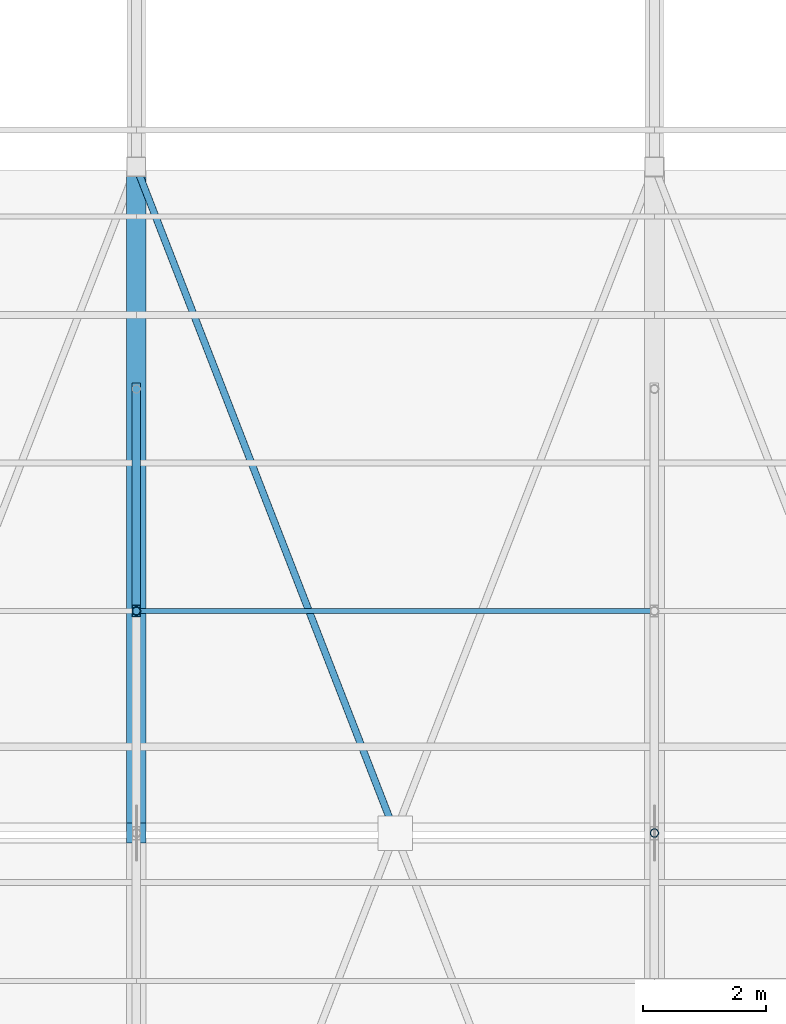
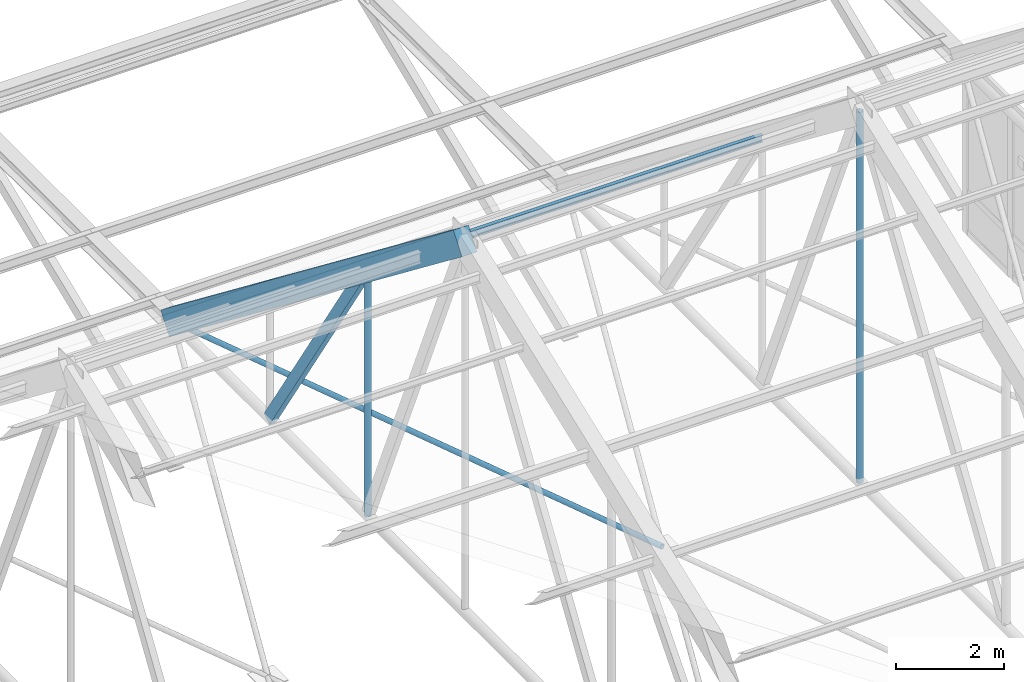
# One storey, part 127 of 217: 6 members.
"""IFC4 building model written with IfcOpenShell, lengths in metres."""

from ifc_helpers import new_model, si_unit, direction, frame, origin, origin_2d, place, context, subcontext, project, spatial, rectangle, hollow_rectangle, hollow_circle, i_section, extrude, material, material_profile, profile_set, type_object, element, save


model = new_model("IFC4")

# Units and contexts
model_context = context("Model", 3, precision=1e-05, world=origin(), true_north=direction((0.0, 1.0)))
body_context = subcontext(model_context, "Body", "Model", "MODEL_VIEW")
ifc_project = project(units=[si_unit("LENGTHUNIT", "METRE"), si_unit("AREAUNIT", "SQUARE_METRE"), si_unit("VOLUMEUNIT", "CUBIC_METRE"), si_unit("PLANEANGLEUNIT", "RADIAN"), si_unit("MASSUNIT", "GRAM", prefix="KILO")], contexts=[model_context])

# Site, building, storey
site_placement = place(None, origin())
site = spatial("IfcSite", under=ifc_project, at=site_placement, CompositionType="ELEMENT")
building_placement = place(site_placement, origin())
building = spatial("IfcBuilding", under=site, at=building_placement, Name="Mazaris Harbour Polytechnic", CompositionType="ELEMENT")
storey_placement = place(building_placement, frame((0.0, 0.0, 9.60009765625)))
storey = spatial("IfcBuildingStorey", under=building, at=storey_placement, Name="L02", CompositionType="ELEMENT", Elevation=9.60009765625)

# Members
ifc_material_1 = material(Name="Glulam GL32h", Category="wood")
ifc_material_profile_1 = material_profile(ifc_material_1, rectangle(XDim=0.320068359375, YDim=0.52001953125, at=origin_2d()), Name="RECT320x520")
ifc_profile_set_1 = profile_set([ifc_material_profile_1], Name="Glulam GL32h")
member_type_1 = type_object("IfcMemberType", Name="Glulam Top Chord 320x520", PredefinedType="CHORD", material=ifc_profile_set_1)
member_1_placement = place(storey_placement, frame((96.0, 97.199951171875, 12.099853515625), z_axis=(0.0, 0.791130406401, -0.611647512926), x_axis=(-1.0, 0.0, 0.0)))
element("IfcMember", 1, at=member_1_placement, inside=storey, type_object=member_type_1, Name="Truss 6 North Glulam Top Chord", PredefinedType="CHORD", context=body_context, shape_type="SweptSolid", body=[
    extrude(rectangle(XDim=0.320068359375, YDim=0.52001953125, at=origin_2d()), origin(), (0.0, 0.0, 1.0), 13.6513671875),
])
ifc_material_2 = material(Name="Steel S355", Category="steel")
ifc_material_profile_2 = material_profile(ifc_material_2, i_section(OverallWidth=0.08203125, OverallDepth=0.159912109375, WebThickness=0.0048828125, FlangeThickness=0.00732421875, FilletRadius=0.009033203125, at=origin_2d()), Name="IPE 160")
ifc_profile_set_2 = profile_set([ifc_material_profile_2], Name="Steel S355")
member_type_2 = type_object("IfcMemberType", Name="Steel Purlin IPE160", PredefinedType="PURLIN", material=ifc_profile_set_2)
member_2_placement = place(storey_placement, frame((96.0, 100.800048828125, 9.308837890625), z_axis=(1.0, 0.0, 0.0), x_axis=(0.0, 1.0, 0.0)))
element("IfcMember", 2, at=member_2_placement, inside=storey, type_object=member_type_2, Name="V1 Roof Purlin N-120", PredefinedType="PURLIN", context=body_context, shape_type="SweptSolid", body=[
    extrude(i_section(OverallWidth=0.08203125, OverallDepth=0.159912109375, WebThickness=0.0048828125, FlangeThickness=0.00732421875, FilletRadius=0.009033203125, at=origin_2d()), origin(), (0.0, 0.0, 1.0), 8.39990234375),
])
ifc_material_3 = material(Name="Steel S355", Category="steel")
ifc_material_profile_3 = material_profile(ifc_material_3, hollow_rectangle(XDim=0.139892578125, YDim=0.239990234375, WallThickness=0.010009765625, at=origin_2d()), Name="RHS 140x240x10.0")
ifc_profile_set_3 = profile_set([ifc_material_profile_3], Name="Steel S355")
member_type_3 = type_object("IfcMemberType", Name="Steel Truss Diagonal RHS140x240", PredefinedType="BRACE", material=ifc_profile_set_3)
member_3_placement = place(storey_placement, frame((96.0, 104.39990234375, 3.75), z_axis=(0.0, -0.543028315091, 0.839714385377), x_axis=(1.0, 0.0, 0.0)))
element("IfcMember", 3, at=member_3_placement, inside=storey, type_object=member_type_3, Name="Truss 6 Web Diagonal N2", PredefinedType="BRACE", context=body_context, shape_type="SweptSolid", body=[
    extrude(hollow_rectangle(XDim=0.139892578125, YDim=0.239990234375, WallThickness=0.010009765625, at=origin_2d()), origin(), (0.0, 0.0, 1.0), 6.629150390625),
])
ifc_material_4 = material(Name="Steel S355", Category="steel")
ifc_material_profile_4 = material_profile(ifc_material_4, hollow_circle(Radius=0.06982421875, WallThickness=0.008056640625, at=origin_2d()), Name="CHS 139.7x8.0")
ifc_profile_set_4 = profile_set([ifc_material_profile_4], Name="Steel S355")
member_type_4 = type_object("IfcMemberType", Name="Steel Truss Strut CHS139", PredefinedType="STRUT", material=ifc_profile_set_4)
member_4_placement = place(storey_placement, frame((96.0, 100.800048828125, 3.75), z_axis=(0.0, 0.0, 1.0), x_axis=(1.0, 0.0, 0.0)))
element("IfcMember", 4, at=member_4_placement, inside=storey, type_object=member_type_4, Name="Truss 6 Web Post N1", PredefinedType="STRUT", context=body_context, shape_type="SweptSolid", body=[
    extrude(hollow_circle(Radius=0.06982421875, WallThickness=0.008056640625, at=origin_2d()), origin(), (0.0, 0.0, 1.0), 5.566650390625),
])
member_5_placement = place(storey_placement, frame((104.39990234375, 97.199951171875, 3.75), z_axis=(0.0, 0.0, 1.0), x_axis=(1.0, 0.0, 0.0)))
element("IfcMember", 5, at=member_5_placement, inside=storey, type_object=member_type_4, Name="Truss 7 Web Post S4", PredefinedType="STRUT", context=body_context, shape_type="SweptSolid", body=[
    extrude(hollow_circle(Radius=0.06982421875, WallThickness=0.008056640625, at=origin_2d()), origin(), (0.0, 0.0, 1.0), 8.349853515625),
])
ifc_material_5 = material(Name="Steel S355", Category="steel")
ifc_material_profile_5 = material_profile(ifc_material_5, hollow_circle(Radius=0.05712890625, WallThickness=0.00634765625, at=origin_2d()), Name="CHS 114.3x6.3")
ifc_profile_set_5 = profile_set([ifc_material_profile_5], Name="Steel S355")
member_type_5 = type_object("IfcMemberType", Name="Steel Wind Brace CHS114", PredefinedType="BRACE", material=ifc_profile_set_5)
member_6_placement = place(storey_placement, frame((96.0, 108.0, 3.75), z_axis=(0.3624411776, -0.932006648463, 0.0), x_axis=(0.932006648463, 0.3624411776, 0.0)))
element("IfcMember", 6, at=member_6_placement, inside=storey, type_object=member_type_5, Name="V1 Split Roof Wind Brace 6B1", PredefinedType="BRACE", context=body_context, shape_type="SweptSolid", body=[
    extrude(hollow_circle(Radius=0.05712890625, WallThickness=0.00634765625, at=origin_2d()), origin(), (0.0, 0.0, 1.0), 11.587890625),
])

save(model, "model.ifc")
